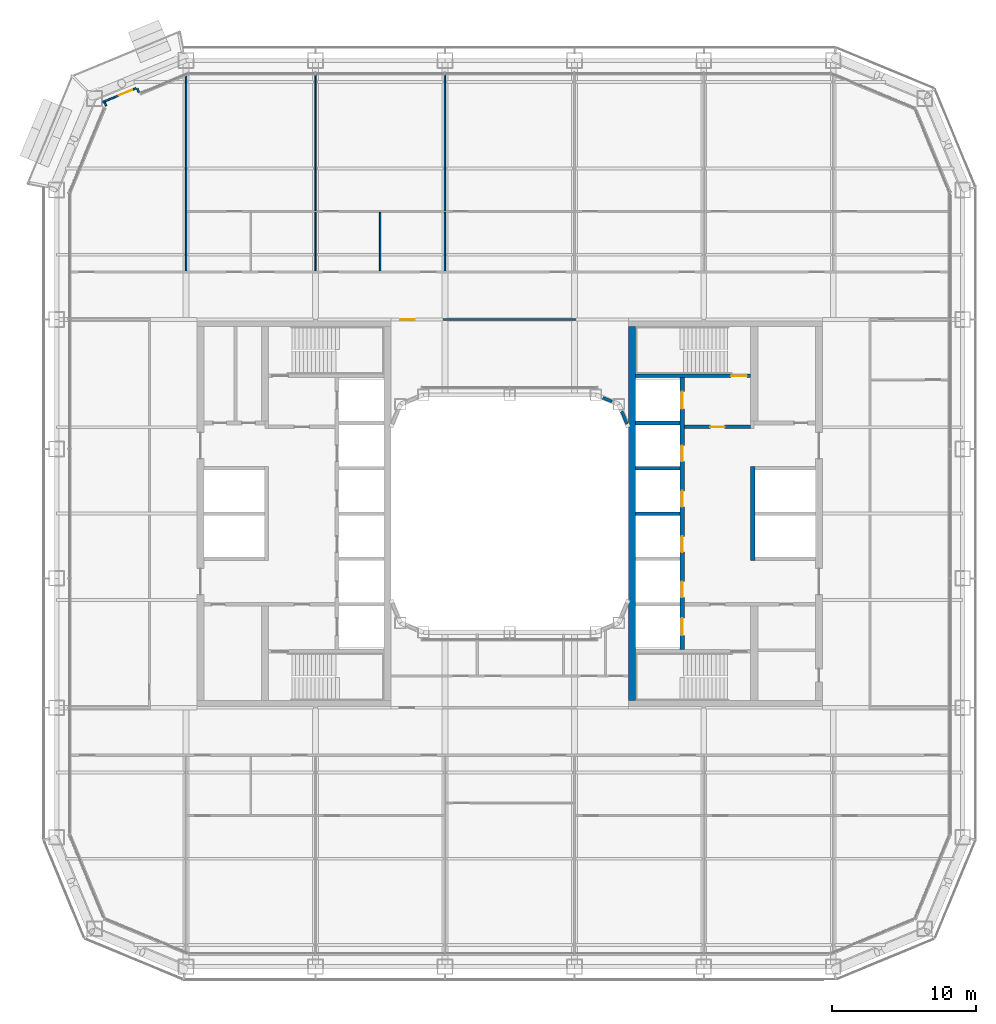
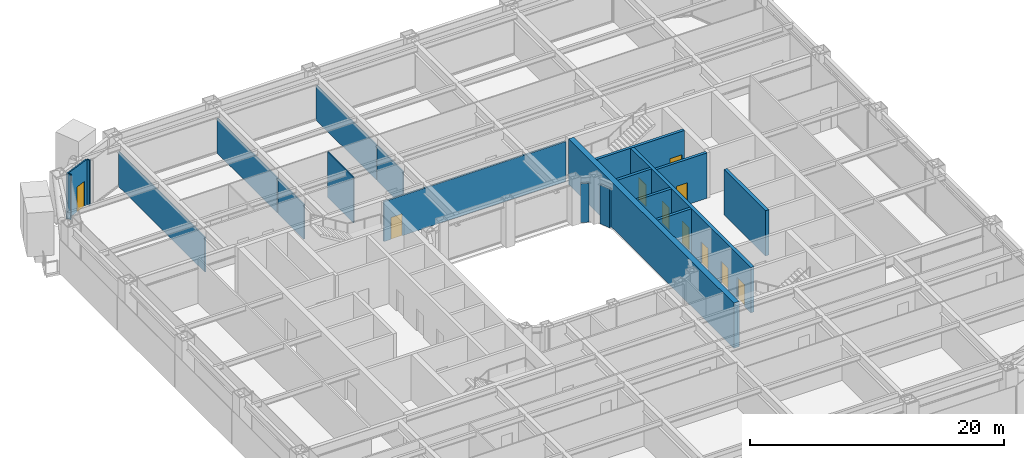
# One storey, part 15 of 29: 20 walls, 10 doors, 10 openings.
"""IFC4 building model written with IfcOpenShell, lengths in metres."""

from ifc_helpers import new_model, si_unit, direction, frame, frame_2d, origin, place, context, subcontext, project, spatial, rectangle, extrude, material, layer, layer_set, type_object, element, fill, save


model = new_model("IFC4")

# Units and contexts
model_context = context("Model", 3, precision=1e-05, world=origin(), true_north=direction((0.0, 1.0)))
body_context = subcontext(model_context, "Body", "Model", "MODEL_VIEW")
ifc_project = project(units=[si_unit("LENGTHUNIT", "METRE"), si_unit("AREAUNIT", "SQUARE_METRE"), si_unit("VOLUMEUNIT", "CUBIC_METRE"), si_unit("PLANEANGLEUNIT", "RADIAN"), si_unit("MASSUNIT", "GRAM", prefix="KILO")], contexts=[model_context])

# Site, building, storey
site_placement = place(None, origin())
site = spatial("IfcSite", under=ifc_project, at=site_placement, CompositionType="ELEMENT")
building_placement = place(site_placement, origin())
building = spatial("IfcBuilding", under=site, at=building_placement, Name="Siwar Civic Tower", CompositionType="ELEMENT")
storey_placement = place(building_placement, frame((0.0, 0.0, 49.199951171875)))
storey = spatial("IfcBuildingStorey", under=building, at=storey_placement, Name="L10", CompositionType="ELEMENT", Elevation=49.199951171875)

# Wall, opening, door
ifc_material_1 = material(Name="Concrete C60/75", Category="concrete")
ifc_layer_1 = layer(ifc_material_1, 0.25)
ifc_layer_set_1 = layer_set([ifc_layer_1], Name="Concrete C60/75")
wall_type_1 = type_object("IfcWallType", Name="CORE-WALL-RC250", PredefinedType="SHEAR", material=ifc_layer_set_1)
wall_1_placement = place(storey_placement, frame((12.14990234375, 6.02490234375, 0.0), z_axis=(0.0, 0.0, 1.0), x_axis=(1.0, 0.0, 0.0)))
wall_1 = element("IfcWall", 1, at=wall_1_placement, inside=storey, type_object=wall_type_1, Name="Core wall E", PredefinedType="SHEAR", context=body_context, shape_type="SweptSolid", body=[
    extrude(rectangle(XDim=4.60009765625, YDim=0.25, at=frame_2d((2.300048828125, 0.0))), origin(), (0.0, 0.0, 1.0), 4.35009765625),
])
opening_1_placement = place(wall_1_placement, frame((1.800048828125, 0.0, 0.0)))
opening_1 = element("IfcOpeningElement", 2, at=opening_1_placement, cuts=wall_1, Name="Opening L10-CE01", PredefinedType="OPENING", context=body_context, shape_type="SweptSolid", body=[
    extrude(rectangle(XDim=1.0, YDim=2.10009765625, at=frame_2d((0.5, 1.050048828125))), frame((0.0, 0.135009765625, 0.0), z_axis=(0.0, -1.0, 0.0), x_axis=(1.0, 0.0, 0.0)), (0.0, 0.0, 1.0), 0.27001953125),
])
ifc_material_2 = material(Name="Steel door leaf", Category="steel")
door_type_1 = type_object("IfcDoorType", Name="CORE-DOOR-FD30S", OperationType="SINGLE_SWING_LEFT", PredefinedType="DOOR", material=ifc_material_2)
door_1_placement = place(opening_1_placement, origin())
door_1 = element("IfcDoor", 3, at=door_1_placement, inside=storey, type_object=door_type_1, Name="Firefighting lobby door L10-CE01", OperationType="SINGLE_SWING_RIGHT", OverallHeight=2.10009765625, OverallWidth=1.0, PredefinedType="DOOR", context=body_context, shape_type="SweptSolid", body=[
    extrude(rectangle(XDim=1.0, YDim=2.10009765625, at=frame_2d((0.5, 1.050048828125))), frame((0.0, 0.02490234375, 0.0), z_axis=(0.0, -1.0, 0.0), x_axis=(1.0, 0.0, 0.0)), (0.0, 0.0, 1.0), 0.050048828125),
])
fill(opening_1, door_1)

# Walls
for number, where, z_axis, x_axis, name in (
    (4, (8.75, 0.0, 0.0), (0.0, 0.0, 1.0), (1.0, 0.0, 0.0), "Core wall E"),
    (5, (8.75, 3.14990234375, 0.0), (0.0, 0.0, 1.0), (1.0, 0.0, 0.0), "Core wall E"),
    (6, (8.75, 6.300048828125, 0.0), (0.0, 0.0, 1.0), (1.0, 0.0, 0.0), "Core wall E"),
):
    element("IfcWall", number, at=place(storey_placement, frame(where, z_axis=z_axis, x_axis=x_axis)), inside=storey, type_object=wall_type_1, Name=name, PredefinedType="SHEAR", context=body_context, shape_type="SweptSolid", body=[
        extrude(rectangle(XDim=3.10009765625, YDim=0.25, at=frame_2d((1.550048828125, 0.0))), origin(), (0.0, 0.0, 1.0), 4.35009765625),
    ])

# Wall, opening, door
wall_2_placement = place(storey_placement, frame((8.75, 9.574951171875, 0.0), z_axis=(0.0, 0.0, 1.0), x_axis=(1.0, 0.0, 0.0)))
wall_2 = element("IfcWall", 7, at=wall_2_placement, inside=storey, type_object=wall_type_1, Name="Core wall E", PredefinedType="SHEAR", context=body_context, shape_type="SweptSolid", body=[
    extrude(rectangle(XDim=8.0, YDim=0.25, at=frame_2d((4.0, 0.0))), origin(), (0.0, 0.0, 1.0), 4.35009765625),
])
opening_2_placement = place(wall_2_placement, frame((6.64990234375, 0.0, 0.0)))
opening_2 = element("IfcOpeningElement", 8, at=opening_2_placement, cuts=wall_2, Name="Opening L10-CE03", PredefinedType="OPENING", context=body_context, shape_type="SweptSolid", body=[
    extrude(rectangle(XDim=1.10009765625, YDim=2.10009765625, at=frame_2d((0.550048828125, 1.050048828125))), frame((0.0, 0.135009765625, 0.0), z_axis=(0.0, -1.0, 0.0), x_axis=(1.0, 0.0, 0.0)), (0.0, 0.0, 1.0), 0.27001953125),
])
ifc_material_3 = material(Name="Steel door leaf", Category="steel")
door_type_2 = type_object("IfcDoorType", Name="CORE-DOOR-FD60S", OperationType="SINGLE_SWING_LEFT", PredefinedType="DOOR", material=ifc_material_3)
door_2_placement = place(opening_2_placement, origin())
door_2 = element("IfcDoor", 9, at=door_2_placement, inside=storey, type_object=door_type_2, Name="Stair door L10-CE03", OperationType="SINGLE_SWING_LEFT", OverallHeight=2.10009765625, OverallWidth=1.10009765625, PredefinedType="DOOR", context=body_context, shape_type="SweptSolid", body=[
    extrude(rectangle(XDim=1.10009765625, YDim=2.10009765625, at=frame_2d((0.550048828125, 1.050048828125))), frame((0.0, 0.02490234375, 0.0), z_axis=(0.0, -1.0, 0.0), x_axis=(1.0, 0.0, 0.0)), (0.0, 0.0, 1.0), 0.050048828125),
])
fill(opening_2, door_2)

# Wall, openings, doors
ifc_material_4 = material(Name="Concrete C60/75", Category="concrete")
ifc_layer_2 = layer(ifc_material_4, 0.300048828125)
ifc_layer_set_2 = layer_set([ifc_layer_2], Name="Concrete C60/75")
wall_type_2 = type_object("IfcWallType", Name="CORE-WALL-RC300", PredefinedType="SHEAR", material=ifc_layer_set_2)
wall_3_placement = place(storey_placement, frame((12.0, -9.449951171875, 0.0), z_axis=(0.0, 0.0, 1.0), x_axis=(0.0, 1.0, 0.0)))
wall_3 = element("IfcWall", 10, at=wall_3_placement, inside=storey, type_object=wall_type_2, Name="Core wall E", PredefinedType="SHEAR", context=body_context, shape_type="SweptSolid", body=[
    extrude(rectangle(XDim=18.89990234375, YDim=0.300048828125, at=frame_2d((9.449951171875, 0.0))), origin(), (0.0, 0.0, 1.0), 4.35009765625),
])
opening_3_placement = place(wall_3_placement, frame((3.625, 0.0, 0.0)))
opening_3 = element("IfcOpeningElement", 11, at=opening_3_placement, cuts=wall_3, Name="Opening L10-CE07", PredefinedType="OPENING", context=body_context, shape_type="SweptSolid", body=[
    extrude(rectangle(XDim=1.10009765625, YDim=2.10009765625, at=frame_2d((0.550048828125, 1.050048828125))), frame((0.0, 0.16015625, 0.0), z_axis=(0.0, -1.0, 0.0), x_axis=(1.0, 0.0, 0.0)), (0.0, 0.0, 1.0), 0.320068359375),
])
opening_4_placement = place(wall_3_placement, frame((6.77490234375, 0.0, 0.0)))
opening_4 = element("IfcOpeningElement", 12, at=opening_4_placement, cuts=wall_3, Name="Opening L10-CE08", PredefinedType="OPENING", context=body_context, shape_type="SweptSolid", body=[
    extrude(rectangle(XDim=1.10009765625, YDim=2.10009765625, at=frame_2d((0.550048828125, 1.050048828125))), frame((0.0, 0.16015625, 0.0), z_axis=(0.0, -1.0, 0.0), x_axis=(1.0, 0.0, 0.0)), (0.0, 0.0, 1.0), 0.320068359375),
])
opening_5_placement = place(wall_3_placement, frame((9.925048828125, 0.0, 0.0)))
opening_5 = element("IfcOpeningElement", 13, at=opening_5_placement, cuts=wall_3, Name="Opening L10-CE09", PredefinedType="OPENING", context=body_context, shape_type="SweptSolid", body=[
    extrude(rectangle(XDim=1.10009765625, YDim=2.10009765625, at=frame_2d((0.550048828125, 1.050048828125))), frame((0.0, 0.16015625, 0.0), z_axis=(0.0, -1.0, 0.0), x_axis=(1.0, 0.0, 0.0)), (0.0, 0.0, 1.0), 0.320068359375),
])
opening_6_placement = place(wall_3_placement, frame((13.074951171875, 0.0, 0.0)))
opening_6 = element("IfcOpeningElement", 14, at=opening_6_placement, cuts=wall_3, Name="Opening L10-CE10", PredefinedType="OPENING", context=body_context, shape_type="SweptSolid", body=[
    extrude(rectangle(XDim=1.10009765625, YDim=2.10009765625, at=frame_2d((0.550048828125, 1.050048828125))), frame((0.0, 0.16015625, 0.0), z_axis=(0.0, -1.0, 0.0), x_axis=(1.0, 0.0, 0.0)), (0.0, 0.0, 1.0), 0.320068359375),
])
opening_7_placement = place(wall_3_placement, frame((16.72509765625, 0.0, 0.0)))
opening_7 = element("IfcOpeningElement", 15, at=opening_7_placement, cuts=wall_3, Name="Opening L10-CE11", PredefinedType="OPENING", context=body_context, shape_type="SweptSolid", body=[
    extrude(rectangle(XDim=1.199951171875, YDim=2.10009765625, at=frame_2d((0.60009765625, 1.050048828125))), frame((0.0, 0.16015625, 0.0), z_axis=(0.0, -1.0, 0.0), x_axis=(1.0, 0.0, 0.0)), (0.0, 0.0, 1.0), 0.320068359375),
])
opening_8_placement = place(wall_3_placement, frame((0.97509765625, 0.0, 0.0)))
opening_8 = element("IfcOpeningElement", 16, at=opening_8_placement, cuts=wall_3, Name="Opening L10-CE12", PredefinedType="OPENING", context=body_context, shape_type="SweptSolid", body=[
    extrude(rectangle(XDim=1.199951171875, YDim=2.10009765625, at=frame_2d((0.60009765625, 1.050048828125))), frame((0.0, 0.16015625, 0.0), z_axis=(0.0, -1.0, 0.0), x_axis=(1.0, 0.0, 0.0)), (0.0, 0.0, 1.0), 0.320068359375),
])
ifc_material_5 = material(Name="Steel door leaf", Category="steel")
door_type_3 = type_object("IfcDoorType", Name="CORE-DOOR-LD", OperationType="DOUBLE_DOOR_SLIDING", PredefinedType="DOOR", material=ifc_material_5)
door_3_placement = place(opening_3_placement, origin())
door_3 = element("IfcDoor", 17, at=door_3_placement, inside=storey, type_object=door_type_3, Name="Landing door LR5 L10-CE07", OperationType="DOUBLE_DOOR_SLIDING", OverallHeight=2.10009765625, OverallWidth=1.10009765625, PredefinedType="DOOR", context=body_context, shape_type="SweptSolid", body=[
    extrude(rectangle(XDim=1.10009765625, YDim=2.10009765625, at=frame_2d((0.550048828125, 1.050048828125))), frame((0.0, 0.02490234375, 0.0), z_axis=(0.0, -1.0, 0.0), x_axis=(1.0, 0.0, 0.0)), (0.0, 0.0, 1.0), 0.050048828125),
])
fill(opening_3, door_3)
door_4_placement = place(opening_4_placement, origin())
door_4 = element("IfcDoor", 18, at=door_4_placement, inside=storey, type_object=door_type_3, Name="Landing door LR6 L10-CE08", OperationType="DOUBLE_DOOR_SLIDING", OverallHeight=2.10009765625, OverallWidth=1.10009765625, PredefinedType="DOOR", context=body_context, shape_type="SweptSolid", body=[
    extrude(rectangle(XDim=1.10009765625, YDim=2.10009765625, at=frame_2d((0.550048828125, 1.050048828125))), frame((0.0, 0.02490234375, 0.0), z_axis=(0.0, -1.0, 0.0), x_axis=(1.0, 0.0, 0.0)), (0.0, 0.0, 1.0), 0.050048828125),
])
fill(opening_4, door_4)
door_5_placement = place(opening_5_placement, origin())
door_5 = element("IfcDoor", 19, at=door_5_placement, inside=storey, type_object=door_type_3, Name="Landing door LR7 L10-CE09", OperationType="DOUBLE_DOOR_SLIDING", OverallHeight=2.10009765625, OverallWidth=1.10009765625, PredefinedType="DOOR", context=body_context, shape_type="SweptSolid", body=[
    extrude(rectangle(XDim=1.10009765625, YDim=2.10009765625, at=frame_2d((0.550048828125, 1.050048828125))), frame((0.0, 0.02490234375, 0.0), z_axis=(0.0, -1.0, 0.0), x_axis=(1.0, 0.0, 0.0)), (0.0, 0.0, 1.0), 0.050048828125),
])
fill(opening_5, door_5)
door_6_placement = place(opening_6_placement, origin())
door_6 = element("IfcDoor", 20, at=door_6_placement, inside=storey, type_object=door_type_3, Name="Landing door LR8 L10-CE10", OperationType="DOUBLE_DOOR_SLIDING", OverallHeight=2.10009765625, OverallWidth=1.10009765625, PredefinedType="DOOR", context=body_context, shape_type="SweptSolid", body=[
    extrude(rectangle(XDim=1.10009765625, YDim=2.10009765625, at=frame_2d((0.550048828125, 1.050048828125))), frame((0.0, 0.02490234375, 0.0), z_axis=(0.0, -1.0, 0.0), x_axis=(1.0, 0.0, 0.0)), (0.0, 0.0, 1.0), 0.050048828125),
])
fill(opening_6, door_6)
ifc_material_6 = material(Name="Steel door leaf", Category="steel")
door_type_4 = type_object("IfcDoorType", Name="CORE-DOOR-LDW", OperationType="DOUBLE_DOOR_SLIDING", PredefinedType="DOOR", material=ifc_material_6)
door_7_placement = place(opening_7_placement, origin())
door_7 = element("IfcDoor", 21, at=door_7_placement, inside=storey, type_object=door_type_4, Name="Landing door FF2 L10-CE11", OperationType="DOUBLE_DOOR_SLIDING", OverallHeight=2.10009765625, OverallWidth=1.199951171875, PredefinedType="DOOR", context=body_context, shape_type="SweptSolid", body=[
    extrude(rectangle(XDim=1.199951171875, YDim=2.10009765625, at=frame_2d((0.60009765625, 1.050048828125))), frame((0.0, 0.02490234375, 0.0), z_axis=(0.0, -1.0, 0.0), x_axis=(1.0, 0.0, 0.0)), (0.0, 0.0, 1.0), 0.050048828125),
])
fill(opening_7, door_7)
door_8_placement = place(opening_8_placement, origin())
door_8 = element("IfcDoor", 22, at=door_8_placement, inside=storey, type_object=door_type_4, Name="Landing door SV2 L10-CE12", OperationType="DOUBLE_DOOR_SLIDING", OverallHeight=2.10009765625, OverallWidth=1.199951171875, PredefinedType="DOOR", context=body_context, shape_type="SweptSolid", body=[
    extrude(rectangle(XDim=1.199951171875, YDim=2.10009765625, at=frame_2d((0.60009765625, 1.050048828125))), frame((0.0, 0.02490234375, 0.0), z_axis=(0.0, -1.0, 0.0), x_axis=(1.0, 0.0, 0.0)), (0.0, 0.0, 1.0), 0.050048828125),
])
fill(opening_8, door_8)

# Walls
wall_4_placement = place(storey_placement, frame((16.89990234375, -3.27490234375, 0.0), z_axis=(0.0, 0.0, 1.0), x_axis=(0.0, 1.0, 0.0)))
element("IfcWall", 23, at=wall_4_placement, inside=storey, type_object=wall_type_2, Name="Core wall E", PredefinedType="SHEAR", context=body_context, shape_type="SweptSolid", body=[
    extrude(rectangle(XDim=6.5498046875, YDim=0.300048828125, at=frame_2d((3.27490234375, 0.0))), origin(), (0.0, 0.0, 1.0), 4.35009765625),
])
ifc_material_7 = material(Name="Concrete C60/75", Category="concrete")
ifc_layer_3 = layer(ifc_material_7, 0.5)
ifc_layer_set_3 = layer_set([ifc_layer_3], Name="Concrete C60/75")
wall_type_3 = type_object("IfcWallType", Name="CORE-WALL-RC500-EXT", PredefinedType="SHEAR", material=ifc_layer_set_3)
wall_5_placement = place(storey_placement, frame((8.5, -13.0, 0.0), z_axis=(0.0, 0.0, 1.0), x_axis=(0.0, 1.0, 0.0)))
element("IfcWall", 24, at=wall_5_placement, inside=storey, type_object=wall_type_3, Name="Core wall E", PredefinedType="SHEAR", context=body_context, shape_type="SweptSolid", body=[
    extrude(rectangle(XDim=26.0, YDim=0.5, at=frame_2d((13.0, 0.0))), origin(), (0.0, 0.0, 1.0), 4.35009765625),
])

# Wall, opening, door
ifc_material_8 = material(Name="Gypsum board on steel studs", Category="steel")
ifc_layer_4 = layer(ifc_material_8, 0.14990234375)
ifc_layer_set_4 = layer_set([ifc_layer_4], Name="Gypsum board on steel studs")
wall_type_4 = type_object("IfcWallType", Name="CORRIDOR PARTITION 150 EI 30", PredefinedType="PARTITIONING", material=ifc_layer_set_4)
wall_6_placement = place(storey_placement, frame((-8.25, 13.5, 0.0), z_axis=(0.0, 0.0, 1.0), x_axis=(1.0, 0.0, 0.0)))
wall_6 = element("IfcWall", 25, at=wall_6_placement, inside=storey, type_object=wall_type_4, Name="L10/wall/P12", PredefinedType="PARTITIONING", context=body_context, shape_type="SweptSolid", body=[
    extrude(rectangle(XDim=16.5, YDim=0.14990234375, at=frame_2d((8.25, 0.0))), origin(), (0.0, 0.0, 1.0), 3.85009765625),
])
opening_9_placement = place(wall_6_placement, frame((0.64990234375, 0.0, 0.0)))
opening_9 = element("IfcOpeningElement", 26, at=opening_9_placement, cuts=wall_6, Name="Opening D1", PredefinedType="OPENING", context=body_context, shape_type="SweptSolid", body=[
    extrude(rectangle(XDim=1.0, YDim=2.10009765625, at=frame_2d((0.5, 1.050048828125))), frame((0.0, 0.0849609375, 0.0), z_axis=(0.0, -1.0, 0.0), x_axis=(1.0, 0.0, 0.0)), (0.0, 0.0, 1.0), 0.169921875),
])
ifc_material_9 = material(Name="Timber, painted", Category="wood")
door_type_5 = type_object("IfcDoorType", Name="DOOR 1000 X 2100 FD30", OperationType="SINGLE_SWING_LEFT", PredefinedType="DOOR", material=ifc_material_9)
door_9_placement = place(opening_9_placement, origin())
door_9 = element("IfcDoor", 27, at=door_9_placement, inside=storey, type_object=door_type_5, Name="L10-D33", OperationType="SINGLE_SWING_LEFT", OverallHeight=2.10009765625, OverallWidth=1.0, PredefinedType="DOOR", context=body_context, shape_type="SweptSolid", body=[
    extrude(rectangle(XDim=1.0, YDim=2.10009765625, at=frame_2d((0.5, 1.050048828125))), frame((0.0, 0.02490234375, 0.0), z_axis=(0.0, -1.0, 0.0), x_axis=(1.0, 0.0, 0.0)), (0.0, 0.0, 1.0), 0.050048828125),
])
fill(opening_9, door_9)

# Walls
ifc_material_10 = material(Name="Aluminium clad insulated panel", Category="aluminium")
ifc_layer_5 = layer(ifc_material_10, 0.1201171875)
ifc_layer_set_5 = layer_set([ifc_layer_5], Name="Aluminium clad insulated panel")
wall_type_5 = type_object("IfcWallType", Name="ENV-WALL-BAL", PredefinedType="STANDARD", material=ifc_layer_set_5)
wall_7_placement = place(storey_placement, frame((-25.783447265625, 29.284912109375, 0.0), z_axis=(0.0, 0.0, 1.0), x_axis=(-0.382942403136, 0.923772220778, 0.0)))
element("IfcWall", 28, at=wall_7_placement, inside=storey, type_object=wall_type_5, Name="Balcony door wall return NW1", PredefinedType="STANDARD", context=body_context, shape_type="SweptSolid", body=[
    extrude(rectangle(XDim=0.27978515625, YDim=0.1201171875, at=frame_2d((0.139892578125, 0.0))), origin(), (0.0, 0.0, 1.0), 4.35009765625),
])
wall_8_placement = place(storey_placement, frame((-28.057861328125, 28.3427734375, 0.0), z_axis=(0.0, 0.0, 1.0), x_axis=(-0.382634050621, 0.923899985553, 0.0)))
element("IfcWall", 29, at=wall_8_placement, inside=storey, type_object=wall_type_5, Name="Balcony door wall return NW1", PredefinedType="STANDARD", context=body_context, shape_type="SweptSolid", body=[
    extrude(rectangle(XDim=0.280029296875, YDim=0.1201171875, at=frame_2d((0.14013671875, 0.0))), origin(), (0.0, 0.0, 1.0), 4.35009765625),
])

# Wall, opening, door
wall_9_placement = place(storey_placement, frame((-25.968994140625, 29.575927734375, 0.0), z_axis=(0.0, 0.0, 1.0), x_axis=(-0.923897258763, -0.382640634603, 0.0)))
wall_9 = element("IfcWall", 30, at=wall_9_placement, inside=storey, type_object=wall_type_5, Name="Balcony door wall NW1", PredefinedType="STANDARD", context=body_context, shape_type="SweptSolid", body=[
    extrude(rectangle(XDim=2.5380859375, YDim=0.1201171875, at=frame_2d((1.26904296875, 0.0))), origin(), (0.0, 0.0, 1.0), 4.35009765625),
])
opening_10_placement = place(wall_9_placement, frame((0.300048828125, 0.0, 0.0)))
opening_10 = element("IfcOpeningElement", 31, at=opening_10_placement, cuts=wall_9, Name="Opening D-BAL", PredefinedType="OPENING", context=body_context, shape_type="SweptSolid", body=[
    extrude(rectangle(XDim=1.0, YDim=2.39990234375, at=frame_2d((0.5, 1.199951171875))), frame((0.0, 0.070068359375, 0.0), z_axis=(0.0, -1.0, 0.0), x_axis=(1.0, 0.0, 0.0)), (0.0, 0.0, 1.0), 0.14013671875),
])
ifc_material_11 = material(Name="Aluminium and glass", Category="aluminium")
door_type_6 = type_object("IfcDoorType", Name="ENV-DOOR-BAL", OperationType="SINGLE_SWING_LEFT", PredefinedType="DOOR", material=ifc_material_11)
door_10_placement = place(opening_10_placement, origin())
door_10 = element("IfcDoor", 32, at=door_10_placement, inside=storey, type_object=door_type_6, Name="Balcony door NW", OperationType="SINGLE_SWING_LEFT", OverallHeight=2.39990234375, OverallWidth=1.0, PredefinedType="DOOR", context=body_context, shape_type="SweptSolid", body=[
    extrude(rectangle(XDim=1.0, YDim=2.39990234375, at=frame_2d((0.5, 1.199951171875))), frame((0.0, 0.02490234375, 0.0), z_axis=(0.0, -1.0, 0.0), x_axis=(1.0, 0.0, 0.0)), (0.0, 0.0, 1.0), 0.050048828125),
])
fill(opening_10, door_10)

# Walls
ifc_material_12 = material(Name="Aluminium clad insulated panel", Category="aluminium")
ifc_layer_6 = layer(ifc_material_12, 0.199951171875)
ifc_layer_set_6 = layer_set([ifc_layer_6], Name="Aluminium clad insulated panel")
wall_type_6 = type_object("IfcWallType", Name="ENV-WALL-WELL", PredefinedType="STANDARD", material=ifc_layer_set_6)
wall_10_placement = place(storey_placement, frame((8.154296875, 6.23095703125, 0.0), z_axis=(0.0, 0.0, 1.0), x_axis=(-0.382624318388, 0.923904016107, 0.0)))
element("IfcWall", 33, at=wall_10_placement, inside=storey, type_object=wall_type_6, Name="Light well corner wall NE1", PredefinedType="STANDARD", context=body_context, shape_type="SweptSolid", body=[
    extrude(rectangle(XDim=0.949462890625, YDim=0.199951171875, at=frame_2d((0.474609375, 0.0))), origin(), (0.0, 0.0, 1.0), 3.72998046875),
])
wall_11_placement = place(storey_placement, frame((7.108154296875, 7.791015625, 0.0), z_axis=(0.0, 0.0, 1.0), x_axis=(-0.923854141361, 0.382744726273, 0.0)))
element("IfcWall", 34, at=wall_11_placement, inside=storey, type_object=wall_type_6, Name="Light well corner wall NE2", PredefinedType="STANDARD", context=body_context, shape_type="SweptSolid", body=[
    extrude(rectangle(XDim=0.6767578125, YDim=0.199951171875, at=frame_2d((0.33837890625, 0.0))), origin(), (0.0, 0.0, 1.0), 3.72998046875),
])
ifc_material_13 = material(Name="Gypsum board on steel studs", Category="steel")
ifc_layer_7 = layer(ifc_material_13, 0.10009765625)
ifc_layer_set_7 = layer_set([ifc_layer_7], Name="Gypsum board on steel studs")
wall_type_7 = type_object("IfcWallType", Name="PARTITION 100 GYPSUM", PredefinedType="PARTITIONING", material=ifc_layer_set_7)
wall_12_placement = place(storey_placement, frame((-22.5, 16.875, 0.0), z_axis=(0.0, 0.0, 1.0), x_axis=(0.0, 1.0, 0.0)))
element("IfcWall", 35, at=wall_12_placement, inside=storey, type_object=wall_type_7, Name="L10/wall/P18", PredefinedType="PARTITIONING", context=body_context, shape_type="SweptSolid", body=[
    extrude(rectangle(XDim=13.552978515625, YDim=0.10009765625, at=frame_2d((6.7763671875, 0.0))), origin(), (0.0, 0.0, 1.0), 3.35009765625),
])
wall_13_placement = place(storey_placement, frame((-13.5, 16.875, 0.0), z_axis=(0.0, 0.0, 1.0), x_axis=(0.0, 1.0, 0.0)))
element("IfcWall", 36, at=wall_13_placement, inside=storey, type_object=wall_type_7, Name="L10/wall/P23", PredefinedType="PARTITIONING", context=body_context, shape_type="SweptSolid", body=[
    extrude(rectangle(XDim=4.074951171875, YDim=0.10009765625, at=frame_2d((2.03759765625, 0.0))), origin(), (0.0, 0.0, 1.0), 3.35009765625),
])
wall_14_placement = place(storey_placement, frame((-13.5, 21.050048828125, 0.0), z_axis=(0.0, 0.0, 1.0), x_axis=(0.0, 1.0, 0.0)))
element("IfcWall", 37, at=wall_14_placement, inside=storey, type_object=wall_type_7, Name="L10/wall/P24", PredefinedType="PARTITIONING", context=body_context, shape_type="SweptSolid", body=[
    extrude(rectangle(XDim=9.4599609375, YDim=0.10009765625, at=frame_2d((4.72998046875, 0.0))), origin(), (0.0, 0.0, 1.0), 3.35009765625),
])
wall_15_placement = place(storey_placement, frame((-9.0, 16.875, 0.0), z_axis=(0.0, 0.0, 1.0), x_axis=(0.0, 1.0, 0.0)))
element("IfcWall", 38, at=wall_15_placement, inside=storey, type_object=wall_type_7, Name="L10/wall/P25", PredefinedType="PARTITIONING", context=body_context, shape_type="SweptSolid", body=[
    extrude(rectangle(XDim=4.074951171875, YDim=0.10009765625, at=frame_2d((2.03759765625, 0.0))), origin(), (0.0, 0.0, 1.0), 4.35009765625),
])
wall_16_placement = place(storey_placement, frame((-4.5, 16.875, 0.0), z_axis=(0.0, 0.0, 1.0), x_axis=(0.0, 1.0, 0.0)))
element("IfcWall", 39, at=wall_16_placement, inside=storey, type_object=wall_type_7, Name="L10/wall/P27", PredefinedType="PARTITIONING", context=body_context, shape_type="SweptSolid", body=[
    extrude(rectangle(XDim=4.074951171875, YDim=0.10009765625, at=frame_2d((2.03759765625, 0.0))), origin(), (0.0, 0.0, 1.0), 3.35009765625),
])
wall_17_placement = place(storey_placement, frame((-4.5, 21.050048828125, 0.0), z_axis=(0.0, 0.0, 1.0), x_axis=(0.0, 1.0, 0.0)))
element("IfcWall", 40, at=wall_17_placement, inside=storey, type_object=wall_type_7, Name="L10/wall/P28", PredefinedType="PARTITIONING", context=body_context, shape_type="SweptSolid", body=[
    extrude(rectangle(XDim=9.4599609375, YDim=0.10009765625, at=frame_2d((4.72998046875, 0.0))), origin(), (0.0, 0.0, 1.0), 3.35009765625),
])

save(model, "model.ifc")
